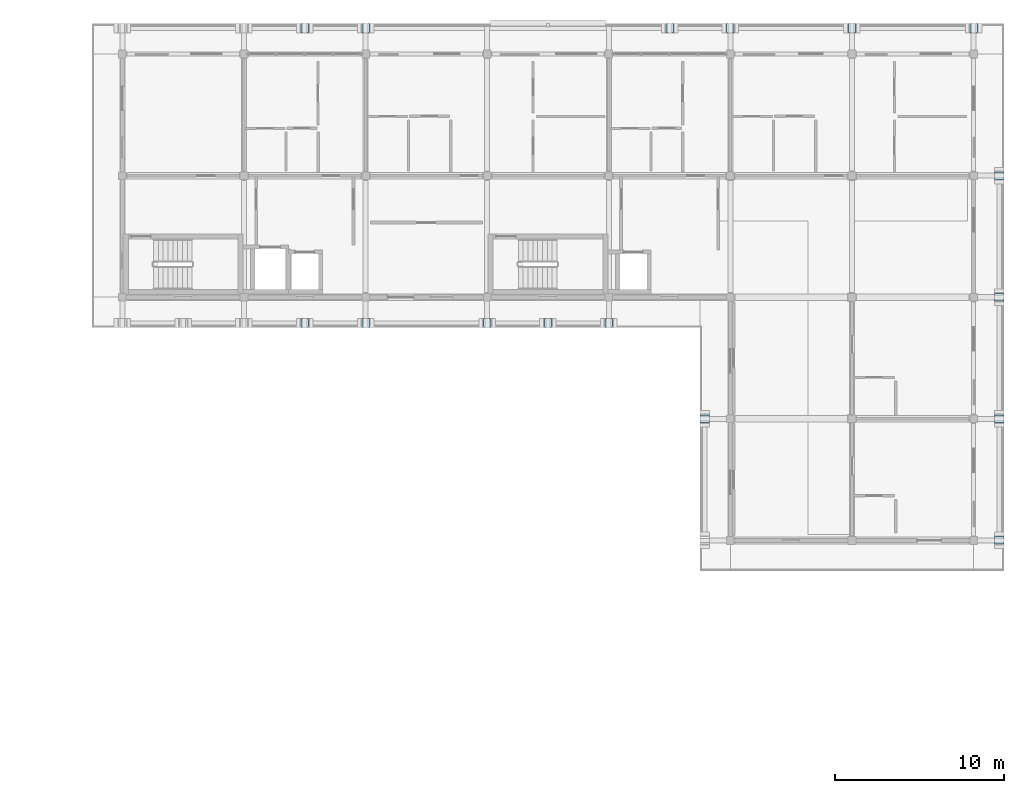
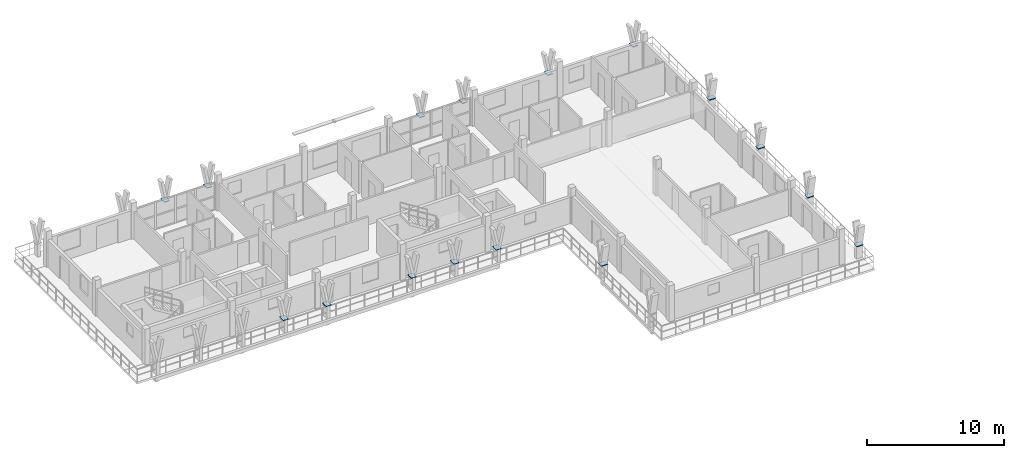
# One storey, part 30 of 56: 16 plates.
"""IFC4 building model written with IfcOpenShell, lengths in metres."""

from ifc_helpers import new_model, si_unit, direction, frame, origin, origin_2d, place, context, subcontext, project, spatial, rectangle, extrude, material, layer, layer_set, type_object, element, save


model = new_model("IFC4")

# Units and contexts
model_context = context("Model", 3, precision=1e-05, world=origin(), true_north=direction((0.0, 1.0)))
body_context = subcontext(model_context, "Body", "Model", "MODEL_VIEW")
ifc_project = project(units=[si_unit("LENGTHUNIT", "METRE"), si_unit("AREAUNIT", "SQUARE_METRE"), si_unit("VOLUMEUNIT", "CUBIC_METRE"), si_unit("PLANEANGLEUNIT", "RADIAN"), si_unit("MASSUNIT", "GRAM", prefix="KILO")], contexts=[model_context])

# Site, building, storey
site_placement = place(None, origin())
site = spatial("IfcSite", under=ifc_project, at=site_placement, CompositionType="ELEMENT")
building_placement = place(site_placement, origin())
building = spatial("IfcBuilding", under=site, at=building_placement, Name="Suanplinth Sawtooth Commons", CompositionType="ELEMENT")
storey_placement = place(building_placement, frame((0.0, 0.0, 34.800048828125)))
storey = spatial("IfcBuildingStorey", under=building, at=storey_placement, Name="L10", CompositionType="ELEMENT", Elevation=34.800048828125)

# Plates
ifc_material = material(Name="Pigmented precast concrete C40/50", Category="concrete")
ifc_layer = layer(ifc_material, 0.06005859375, Name="Precast Y-blade bifurcation node plate 60mm")
ifc_layer_set = layer_set([ifc_layer], Name="Pigmented precast concrete C40/50")
plate_type = type_object("IfcPlateType", Name="PL-04", PredefinedType="USERDEFINED", material=ifc_layer_set)
for number, where, z_axis, x_axis, name in (
    (1, (147.60009765625, 123.919921875, 1.119873046875), (0.0, 0.0, 1.0), (1.0, 0.0, 0.0), "Y-Blade Node Plate L10-B-N-03"),
    (2, (151.199951171875, 123.919921875, 1.119873046875), (0.0, 0.0, 1.0), (1.0, 0.0, 0.0), "Y-Blade Node Plate L10-B-N-04"),
    (3, (169.199951171875, 123.919921875, 1.119873046875), (0.0, 0.0, 1.0), (1.0, 0.0, 0.0), "Y-Blade Node Plate L10-B-N-05"),
    (4, (172.800048828125, 123.919921875, 1.119873046875), (0.0, 0.0, 1.0), (1.0, 0.0, 0.0), "Y-Blade Node Plate L10-B-N-06"),
    (5, (180.0, 123.919921875, 1.119873046875), (0.0, 0.0, 1.0), (1.0, 0.0, 0.0), "Y-Blade Node Plate L10-B-N-07"),
    (6, (187.199951171875, 123.919921875, 1.119873046875), (0.0, 0.0, 1.0), (1.0, 0.0, 0.0), "Y-Blade Node Plate L10-B-N-08"),
    (7, (188.719970703125, 93.60009765625, 1.119873046875), (0.0, 0.0, 1.0), (0.0, 1.0, 0.0), "Y-Blade Node Plate L10-B-E-09"),
    (8, (188.719970703125, 100.800048828125, 1.119873046875), (0.0, 0.0, 1.0), (0.0, 1.0, 0.0), "Y-Blade Node Plate L10-B-E-10"),
    (9, (188.719970703125, 108.0, 1.119873046875), (0.0, 0.0, 1.0), (0.0, 1.0, 0.0), "Y-Blade Node Plate L10-B-E-11"),
    (10, (188.719970703125, 115.199951171875, 1.119873046875), (0.0, 0.0, 1.0), (0.0, 1.0, 0.0), "Y-Blade Node Plate L10-B-E-12"),
    (11, (147.60009765625, 106.47998046875, 1.119873046875), (0.0, 0.0, 1.0), (1.0, 0.0, 0.0), "Y-Blade Node Plate L10-B-SC-16"),
    (12, (151.199951171875, 106.47998046875, 1.119873046875), (0.0, 0.0, 1.0), (1.0, 0.0, 0.0), "Y-Blade Node Plate L10-B-SC-17"),
    (13, (158.39990234375, 106.47998046875, 1.119873046875), (0.0, 0.0, 1.0), (1.0, 0.0, 0.0), "Y-Blade Node Plate L10-B-SC-18"),
    (14, (162.0, 106.47998046875, 1.119873046875), (0.0, 0.0, 1.0), (1.0, 0.0, 0.0), "Y-Blade Node Plate L10-B-SC-19"),
    (15, (165.60009765625, 106.47998046875, 1.119873046875), (0.0, 0.0, 1.0), (1.0, 0.0, 0.0), "Y-Blade Node Plate L10-B-SC-20"),
    (16, (171.280029296875, 100.800048828125, 1.119873046875), (0.0, 0.0, 1.0), (0.0, 1.0, 0.0), "Y-Blade Node Plate L10-B-WC-22"),
):
    element("IfcPlate", number, at=place(storey_placement, frame(where, z_axis=z_axis, x_axis=x_axis)), inside=storey, type_object=plate_type, Name=name, ObjectType="GUSSET PLATE", PredefinedType="USERDEFINED", context=body_context, shape_type="SweptSolid", body=[
        extrude(rectangle(XDim=0.43994140625, YDim=0.550048828125, at=origin_2d()), origin(), (0.0, 0.0, 1.0), 0.06005859375),
    ])

save(model, "model.ifc")
